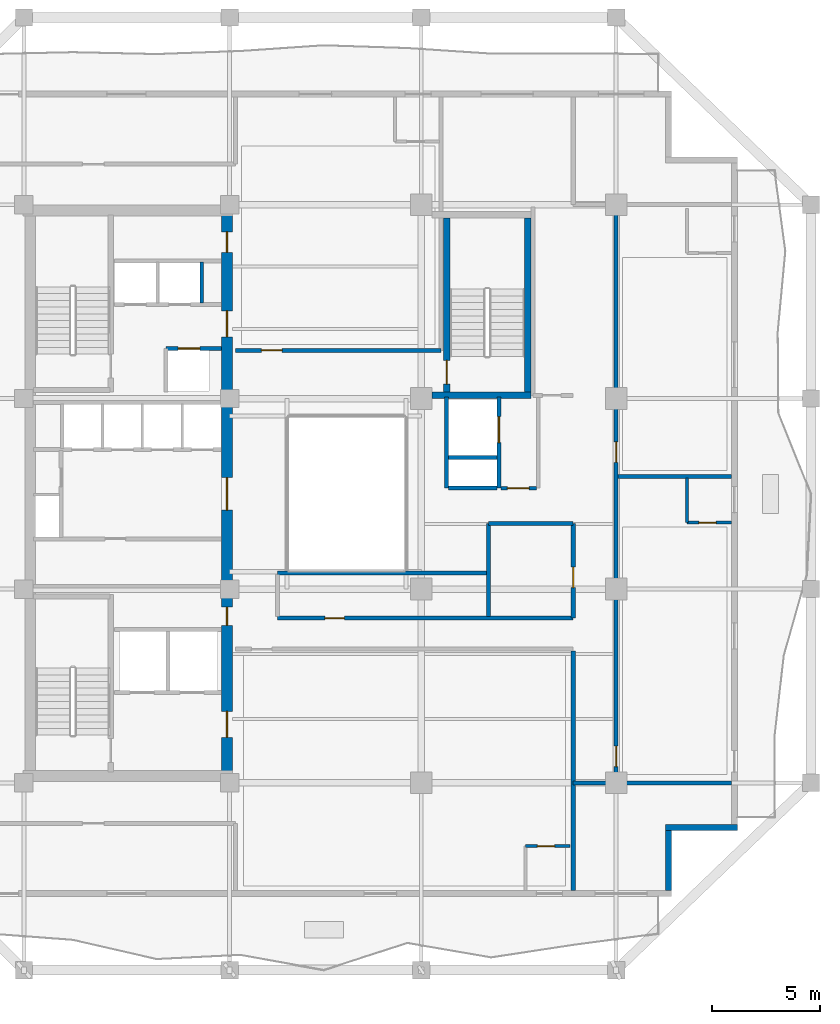
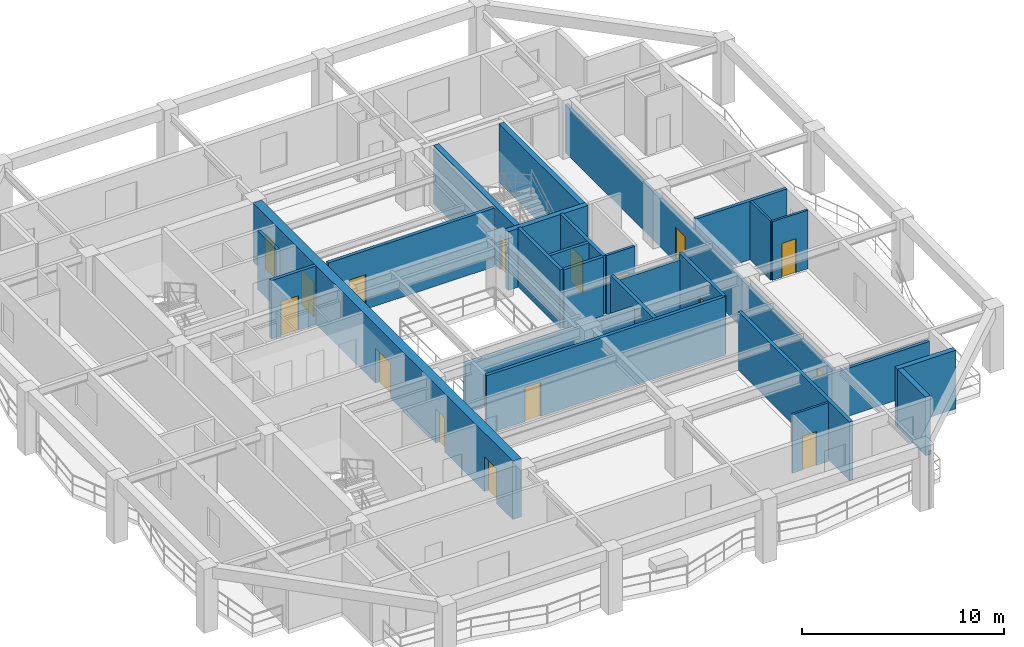
# One storey, part 4 of 10: 26 walls, 16 doors, 16 openings.
"""IFC4 building model written with IfcOpenShell, lengths in metres."""

from ifc_helpers import new_model, si_unit, direction, frame, frame_2d, origin, place, context, subcontext, project, spatial, rectangle, extrude, material, layer, layer_set, type_object, element, fill, save


model = new_model("IFC4")

# Units and contexts
model_context = context("Model", 3, precision=1e-05, world=origin(), true_north=direction((0.0, 1.0)))
body_context = subcontext(model_context, "Body", "Model", "MODEL_VIEW")
ifc_project = project(units=[si_unit("LENGTHUNIT", "METRE"), si_unit("AREAUNIT", "SQUARE_METRE"), si_unit("VOLUMEUNIT", "CUBIC_METRE"), si_unit("PLANEANGLEUNIT", "RADIAN"), si_unit("MASSUNIT", "GRAM", prefix="KILO")], contexts=[model_context])

# Site, building, storey
site_placement = place(None, origin())
site = spatial("IfcSite", under=ifc_project, at=site_placement, CompositionType="ELEMENT")
building_placement = place(site_placement, origin())
building = spatial("IfcBuilding", under=site, at=building_placement, Name="Kundavana Baori Tower", CompositionType="ELEMENT")
storey_placement = place(building_placement, frame((0.0, 0.0, 150.199951171875)))
storey = spatial("IfcBuildingStorey", under=building, at=storey_placement, Name="L36", CompositionType="ELEMENT", Elevation=150.199951171875)

# Wall, openings, doors
ifc_material_1 = material(Name="Concrete C50/60", Category="concrete")
ifc_layer_1 = layer(ifc_material_1, 0.5, Name="WL-CORE-500")
ifc_layer_set_1 = layer_set([ifc_layer_1], Name="Concrete C50/60")
wall_type_1 = type_object("IfcWallType", Name="WL-CORE-500", PredefinedType="SHEAR", material=ifc_layer_set_1)
wall_1_placement = place(storey_placement, frame((24.830078125, 15.739990234375, 0.0), z_axis=(0.0, 0.0, 1.0), x_axis=(0.0, 1.0, 0.0)))
wall_1 = element("IfcWall", 1, at=wall_1_placement, inside=storey, type_object=wall_type_1, Name="L36 Offset Core East Shear Wall", PredefinedType="SHEAR", context=body_context, shape_type="SweptSolid", body=[
    extrude(rectangle(XDim=25.760009765625, YDim=0.5, at=frame_2d((12.8798828125, 0.0))), origin(), (0.0, 0.0, 1.0), 3.550048828125),
])
opening_1_placement = place(wall_1_placement, frame((1.610107421875, 0.0, 0.0)))
opening_1 = element("IfcOpeningElement", 2, at=opening_1_placement, cuts=wall_1, Name="Opening FD-120", PredefinedType="OPENING", context=body_context, shape_type="SweptSolid", body=[
    extrude(rectangle(XDim=1.199951171875, YDim=2.10009765625, at=frame_2d((0.60009765625, 1.050048828125))), frame((0.0, 0.260009765625, 0.0), z_axis=(0.0, -1.0, 0.0), x_axis=(1.0, 0.0, 0.0)), (0.0, 0.0, 1.0), 0.52001953125),
])
opening_2_placement = place(wall_1_placement, frame((6.780029296875, 0.0, 0.0)))
opening_2 = element("IfcOpeningElement", 3, at=opening_2_placement, cuts=wall_1, Name="Opening FD-085", PredefinedType="OPENING", context=body_context, shape_type="SweptSolid", body=[
    extrude(rectangle(XDim=0.85009765625, YDim=2.06005859375, at=frame_2d((0.425048828125, 1.030029296875))), frame((0.0, 0.260009765625, 0.0), z_axis=(0.0, -1.0, 0.0), x_axis=(1.0, 0.0, 0.0)), (0.0, 0.0, 1.0), 0.52001953125),
])
opening_3_placement = place(wall_1_placement, frame((12.110107421875, 0.0, 0.0)))
opening_3 = element("IfcOpeningElement", 4, at=opening_3_placement, cuts=wall_1, Name="Opening FD-150", PredefinedType="OPENING", context=body_context, shape_type="SweptSolid", body=[
    extrude(rectangle(XDim=1.5, YDim=2.1201171875, at=frame_2d((0.75, 1.06005859375))), frame((0.0, 0.260009765625, 0.0), z_axis=(0.0, -1.0, 0.0), x_axis=(1.0, 0.0, 0.0)), (0.0, 0.0, 1.0), 0.52001953125),
])
opening_4_placement = place(wall_1_placement, frame((20.110107421875, 0.0, 0.0)))
opening_4 = element("IfcOpeningElement", 5, at=opening_4_placement, cuts=wall_1, Name="Opening FD-122", PredefinedType="OPENING", context=body_context, shape_type="SweptSolid", body=[
    extrude(rectangle(XDim=1.199951171875, YDim=2.1201171875, at=frame_2d((0.60009765625, 1.06005859375))), frame((0.0, 0.260009765625, 0.0), z_axis=(0.0, -1.0, 0.0), x_axis=(1.0, 0.0, 0.0)), (0.0, 0.0, 1.0), 0.52001953125),
])
opening_5_placement = place(wall_1_placement, frame((24.010009765625, 0.0, 0.0)))
opening_5 = element("IfcOpeningElement", 6, at=opening_5_placement, cuts=wall_1, Name="Opening FD-095", PredefinedType="OPENING", context=body_context, shape_type="SweptSolid", body=[
    extrude(rectangle(XDim=0.949951171875, YDim=2.10009765625, at=frame_2d((0.47509765625, 1.050048828125))), frame((0.0, 0.260009765625, 0.0), z_axis=(0.0, -1.0, 0.0), x_axis=(1.0, 0.0, 0.0)), (0.0, 0.0, 1.0), 0.52001953125),
])
ifc_material_2 = material(Name="Galvanised Steel Fire-Rated Door Leaf", Category="steel")
door_type_1 = type_object("IfcDoorType", Name="DR-FD120-1200", OperationType="NOTDEFINED", PredefinedType="DOOR", material=ifc_material_2)
door_1_placement = place(opening_1_placement, frame((1.199951171875, 0.0, 0.0), z_axis=(0.0, 0.0, 1.0), x_axis=(-1.0, 0.0, 0.0)))
door_1 = element("IfcDoor", 7, at=door_1_placement, inside=storey, type_object=door_type_1, Name="DR-L36-FFLOB-E", OperationType="SINGLE_SWING_RIGHT", OverallHeight=2.10009765625, OverallWidth=1.199951171875, PredefinedType="DOOR", context=body_context, shape_type="SweptSolid", body=[
    extrude(rectangle(XDim=1.199951171875, YDim=2.10009765625, at=frame_2d((0.60009765625, 1.050048828125))), frame((0.0, 0.02490234375, 0.0), z_axis=(0.0, -1.0, 0.0), x_axis=(1.0, 0.0, 0.0)), (0.0, 0.0, 1.0), 0.050048828125),
])
fill(opening_1, door_1)
ifc_material_3 = material(Name="Galvanised Steel Fire-Rated Door Leaf", Category="steel")
door_type_2 = type_object("IfcDoorType", Name="DR-FD60-1200", OperationType="NOTDEFINED", PredefinedType="DOOR", material=ifc_material_3)
door_2_placement = place(opening_4_placement, frame((1.199951171875, 0.0, 0.0), z_axis=(0.0, 0.0, 1.0), x_axis=(-1.0, 0.0, 0.0)))
door_2 = element("IfcDoor", 8, at=door_2_placement, inside=storey, type_object=door_type_2, Name="DR-L36-HRLOB-E", OperationType="SINGLE_SWING_RIGHT", OverallHeight=2.1201171875, OverallWidth=1.199951171875, PredefinedType="DOOR", context=body_context, shape_type="SweptSolid", body=[
    extrude(rectangle(XDim=1.199951171875, YDim=2.1201171875, at=frame_2d((0.60009765625, 1.06005859375))), frame((0.0, 0.02490234375, 0.0), z_axis=(0.0, -1.0, 0.0), x_axis=(1.0, 0.0, 0.0)), (0.0, 0.0, 1.0), 0.050048828125),
])
fill(opening_4, door_2)
ifc_material_4 = material(Name="Galvanised Steel Fire-Rated Door Leaf", Category="steel")
door_type_3 = type_object("IfcDoorType", Name="DR-FD60-1500", OperationType="NOTDEFINED", PredefinedType="DOOR", material=ifc_material_4)
door_3_placement = place(opening_3_placement, frame((1.5, 0.0, 0.0), z_axis=(0.0, 0.0, 1.0), x_axis=(-1.0, 0.0, 0.0)))
door_3 = element("IfcDoor", 9, at=door_3_placement, inside=storey, type_object=door_type_3, Name="DR-L36-LIFTHALL-E", OperationType="SINGLE_SWING_LEFT", OverallHeight=2.1201171875, OverallWidth=1.5, PredefinedType="DOOR", context=body_context, shape_type="SweptSolid", body=[
    extrude(rectangle(XDim=1.5, YDim=2.1201171875, at=frame_2d((0.75, 1.06005859375))), frame((0.0, 0.02490234375, 0.0), z_axis=(0.0, -1.0, 0.0), x_axis=(1.0, 0.0, 0.0)), (0.0, 0.0, 1.0), 0.050048828125),
])
fill(opening_3, door_3)
ifc_material_5 = material(Name="Galvanised Steel Fire-Rated Door Leaf", Category="steel")
door_type_4 = type_object("IfcDoorType", Name="DR-FD60-850", OperationType="NOTDEFINED", PredefinedType="DOOR", material=ifc_material_5)
door_4_placement = place(opening_2_placement, frame((0.85009765625, 0.0, 0.0), z_axis=(0.0, 0.0, 1.0), x_axis=(-1.0, 0.0, 0.0)))
door_4 = element("IfcDoor", 10, at=door_4_placement, inside=storey, type_object=door_type_4, Name="DR-L36-CSMK1", OperationType="SINGLE_SWING_LEFT", OverallHeight=2.06005859375, OverallWidth=0.85009765625, PredefinedType="DOOR", context=body_context, shape_type="SweptSolid", body=[
    extrude(rectangle(XDim=0.85009765625, YDim=2.06005859375, at=frame_2d((0.425048828125, 1.030029296875))), frame((0.0, 0.02490234375, 0.0), z_axis=(0.0, -1.0, 0.0), x_axis=(1.0, 0.0, 0.0)), (0.0, 0.0, 1.0), 0.050048828125),
])
fill(opening_2, door_4)
ifc_material_6 = material(Name="Engineered Teak Fire-Rated Timber Door Leaf", Category="wood")
door_type_5 = type_object("IfcDoorType", Name="DR-FD60-950", OperationType="NOTDEFINED", PredefinedType="DOOR", material=ifc_material_6)
door_5_placement = place(opening_5_placement, frame((0.949951171875, 0.0, 0.0), z_axis=(0.0, 0.0, 1.0), x_axis=(-1.0, 0.0, 0.0)))
door_5 = element("IfcDoor", 11, at=door_5_placement, inside=storey, type_object=door_type_5, Name="DR-L36-CSRV1", OperationType="SINGLE_SWING_LEFT", OverallHeight=2.10009765625, OverallWidth=0.949951171875, PredefinedType="DOOR", context=body_context, shape_type="SweptSolid", body=[
    extrude(rectangle(XDim=0.949951171875, YDim=2.10009765625, at=frame_2d((0.47509765625, 1.050048828125))), frame((0.0, 0.02490234375, 0.0), z_axis=(0.0, -1.0, 0.0), x_axis=(1.0, 0.0, 0.0)), (0.0, 0.0, 1.0), 0.050048828125),
])
fill(opening_5, door_5)

# Walls
ifc_material_7 = material(Name="Red-Buff Dholpur Sandstone Cladding on Concrete C40/50", Category="masonry")
ifc_layer_2 = layer(ifc_material_7, 0.280029296875, Name="WL-EXT-SAND-280")
ifc_layer_set_2 = layer_set([ifc_layer_2], Name="Red-Buff Dholpur Sandstone Cladding on Concrete C40/50")
wall_type_2 = type_object("IfcWallType", Name="WL-EXT-SAND-280", PredefinedType="STANDARD", material=ifc_layer_set_2)
wall_2_placement = place(storey_placement, frame((45.2099609375, 10.280029296875, 0.0), z_axis=(0.0, 0.0, 1.0), x_axis=(0.0, 1.0, 0.0)))
element("IfcWall", 12, at=wall_2_placement, inside=storey, type_object=wall_type_2, Name="L36 Exterior Insulated Facade Wall 02", PredefinedType="STANDARD", context=body_context, shape_type="SweptSolid", body=[
    extrude(rectangle(XDim=2.77001953125, YDim=0.280029296875, at=frame_2d((1.385009765625, 0.0))), origin(), (0.0, 0.0, 1.0), 3.550048828125),
])
wall_3_placement = place(storey_placement, frame((45.070068359375, 13.18994140625, 0.0), z_axis=(0.0, 0.0, 1.0), x_axis=(1.0, 0.0, 0.0)))
element("IfcWall", 13, at=wall_3_placement, inside=storey, type_object=wall_type_2, Name="L36 Exterior Insulated Facade Wall 03", PredefinedType="STANDARD", context=body_context, shape_type="SweptSolid", body=[
    extrude(rectangle(XDim=3.329833984375, YDim=0.280029296875, at=frame_2d((1.6650390625, 0.0))), origin(), (0.0, 0.0, 1.0), 3.550048828125),
])

# Wall, opening, door
ifc_material_8 = material(Name="Fire-Rated Gypsum Drywall on Galvanised Steel Studs", Category="steel")
ifc_layer_3 = layer(ifc_material_8, 0.14990234375, Name="WL-PART-150")
ifc_layer_set_3 = layer_set([ifc_layer_3], Name="Fire-Rated Gypsum Drywall on Galvanised Steel Studs")
wall_type_3 = type_object("IfcWallType", Name="WL-PART-150", PredefinedType="PARTITIONING", material=ifc_layer_set_3)
wall_4_placement = place(storey_placement, frame((37.47998046875, 28.860107421875, 0.0), z_axis=(0.0, 0.0, 1.0), x_axis=(1.0, 0.0, 0.0)))
wall_4 = element("IfcWall", 14, at=wall_4_placement, inside=storey, type_object=wall_type_3, Name="WL-L36-SVLOB-S", PredefinedType="PARTITIONING", context=body_context, shape_type="SweptSolid", body=[
    extrude(rectangle(XDim=1.64013671875, YDim=0.14990234375, at=frame_2d((0.820068359375, 0.0))), origin(), (0.0, 0.0, 1.0), 3.550048828125),
])
opening_6_placement = place(wall_4_placement, frame((0.300048828125, 0.0, 0.0)))
opening_6 = element("IfcOpeningElement", 15, at=opening_6_placement, cuts=wall_4, Name="Opening FD-100", PredefinedType="OPENING", context=body_context, shape_type="SweptSolid", body=[
    extrude(rectangle(XDim=1.0, YDim=2.10009765625, at=frame_2d((0.5, 1.050048828125))), frame((0.0, 0.0849609375, 0.0), z_axis=(0.0, -1.0, 0.0), x_axis=(1.0, 0.0, 0.0)), (0.0, 0.0, 1.0), 0.169921875),
])
ifc_material_9 = material(Name="Engineered Teak Fire-Rated Timber Door Leaf", Category="wood")
door_type_6 = type_object("IfcDoorType", Name="DR-FD60-1000", OperationType="NOTDEFINED", PredefinedType="DOOR", material=ifc_material_9)
door_6_placement = place(opening_6_placement, origin())
door_6 = element("IfcDoor", 16, at=door_6_placement, inside=storey, type_object=door_type_6, Name="DR-L36-SVLOB-OUT", OperationType="SINGLE_SWING_LEFT", OverallHeight=2.10009765625, OverallWidth=1.0, PredefinedType="DOOR", context=body_context, shape_type="SweptSolid", body=[
    extrude(rectangle(XDim=1.0, YDim=2.10009765625, at=frame_2d((0.5, 1.050048828125))), frame((0.0, 0.02490234375, 0.0), z_axis=(0.0, -1.0, 0.0), x_axis=(1.0, 0.0, 0.0)), (0.0, 0.0, 1.0), 0.050048828125),
])
fill(opening_6, door_6)

ifc_material_10 = material(Name="Autoclaved Aerated Concrete Blockwork Masonry", Category="masonry")
ifc_layer_4 = layer(ifc_material_10, 0.18505859375, Name="WL-PART-180")
ifc_layer_set_4 = layer_set([ifc_layer_4], Name="Autoclaved Aerated Concrete Blockwork Masonry")
wall_type_4 = type_object("IfcWallType", Name="WL-PART-180", PredefinedType="SOLIDWALL", material=ifc_layer_set_4)
wall_5_placement = place(storey_placement, frame((27.14990234375, 22.860107421875, 0.0), z_axis=(0.0, 0.0, 1.0), x_axis=(1.0, 0.0, 0.0)))
wall_5 = element("IfcWall", 17, at=wall_5_placement, inside=storey, type_object=wall_type_4, Name="WL-L36-HST", PredefinedType="SOLIDWALL", context=body_context, shape_type="SweptSolid", body=[
    extrude(rectangle(XDim=13.670166015625, YDim=0.18505859375, at=frame_2d((6.8349609375, 0.0))), origin(), (0.0, 0.0, 1.0), 3.550048828125),
])
opening_7_placement = place(wall_5_placement, frame((2.199951171875, 0.0, 0.0)))
opening_7 = element("IfcOpeningElement", 18, at=opening_7_placement, cuts=wall_5, Name="Opening ID-090", PredefinedType="OPENING", context=body_context, shape_type="SweptSolid", body=[
    extrude(rectangle(XDim=0.89990234375, YDim=2.080078125, at=frame_2d((0.449951171875, 1.0400390625))), frame((0.0, 0.1025390625, 0.0), z_axis=(0.0, -1.0, 0.0), x_axis=(1.0, 0.0, 0.0)), (0.0, 0.0, 1.0), 0.205078125),
])
ifc_material_11 = material(Name="Engineered Teak Solid-Core Timber Veneer", Category="wood")
door_type_7 = type_object("IfcDoorType", Name="DR-INT-900", OperationType="NOTDEFINED", PredefinedType="DOOR", material=ifc_material_11)
door_7_placement = place(opening_7_placement, origin())
door_7 = element("IfcDoor", 19, at=door_7_placement, inside=storey, type_object=door_type_7, Name="DR-L36-HPNT", OperationType="SINGLE_SWING_LEFT", OverallHeight=2.080078125, OverallWidth=0.89990234375, PredefinedType="DOOR", context=body_context, shape_type="SweptSolid", body=[
    extrude(rectangle(XDim=0.89990234375, YDim=2.080078125, at=frame_2d((0.449951171875, 1.0400390625))), frame((0.0, 0.02490234375, 0.0), z_axis=(0.0, -1.0, 0.0), x_axis=(1.0, 0.0, 0.0)), (0.0, 0.0, 1.0), 0.050048828125),
])
fill(opening_7, door_7)

wall_6_placement = place(storey_placement, frame((25.219970703125, 35.219970703125, 0.0), z_axis=(0.0, 0.0, 1.0), x_axis=(1.0, 0.0, 0.0)))
wall_6 = element("IfcWall", 20, at=wall_6_placement, inside=storey, type_object=wall_type_4, Name="WL-L36-HN", PredefinedType="SOLIDWALL", context=body_context, shape_type="SweptSolid", body=[
    extrude(rectangle(XDim=9.5, YDim=0.18505859375, at=frame_2d((4.75, 0.0))), origin(), (0.0, 0.0, 1.0), 3.550048828125),
])
opening_8_placement = place(wall_6_placement, frame((1.199951171875, 0.0, 0.0)))
opening_8 = element("IfcOpeningElement", 21, at=opening_8_placement, cuts=wall_6, Name="Opening FD-095", PredefinedType="OPENING", context=body_context, shape_type="SweptSolid", body=[
    extrude(rectangle(XDim=0.949951171875, YDim=2.10009765625, at=frame_2d((0.47509765625, 1.050048828125))), frame((0.0, 0.1025390625, 0.0), z_axis=(0.0, -1.0, 0.0), x_axis=(1.0, 0.0, 0.0)), (0.0, 0.0, 1.0), 0.205078125),
])
door_8_placement = place(opening_8_placement, origin())
door_8 = element("IfcDoor", 22, at=door_8_placement, inside=storey, type_object=door_type_5, Name="DR-L36-HK-N1-ENT", OperationType="SINGLE_SWING_RIGHT", OverallHeight=2.10009765625, OverallWidth=0.949951171875, PredefinedType="DOOR", context=body_context, shape_type="SweptSolid", body=[
    extrude(rectangle(XDim=0.949951171875, YDim=2.10009765625, at=frame_2d((0.47509765625, 1.050048828125))), frame((0.0, 0.02490234375, 0.0), z_axis=(0.0, -1.0, 0.0), x_axis=(1.0, 0.0, 0.0)), (0.0, 0.0, 1.0), 0.050048828125),
])
fill(opening_8, door_8)

# Wall, openings, doors
wall_7_placement = place(storey_placement, frame((42.800048828125, 15.25, 0.0), z_axis=(0.0, 0.0, 1.0), x_axis=(0.0, 1.0, 0.0)))
wall_7 = element("IfcWall", 23, at=wall_7_placement, inside=storey, type_object=wall_type_4, Name="WL-L36-HE", PredefinedType="SOLIDWALL", context=body_context, shape_type="SweptSolid", body=[
    extrude(rectangle(XDim=26.699951171875, YDim=0.18505859375, at=frame_2d((13.35009765625, 0.0))), origin(), (0.0, 0.0, 1.0), 2.900146484375),
])
opening_9_placement = place(wall_7_placement, frame((0.75, 0.0, 0.0)))
opening_9 = element("IfcOpeningElement", 24, at=opening_9_placement, cuts=wall_7, Name="Opening FD-095", PredefinedType="OPENING", context=body_context, shape_type="SweptSolid", body=[
    extrude(rectangle(XDim=0.949951171875, YDim=2.10009765625, at=frame_2d((0.47509765625, 1.050048828125))), frame((0.0, 0.1025390625, 0.0), z_axis=(0.0, -1.0, 0.0), x_axis=(1.0, 0.0, 0.0)), (0.0, 0.0, 1.0), 0.205078125),
])
opening_10_placement = place(wall_7_placement, frame((14.800048828125, 0.0, 0.0)))
opening_10 = element("IfcOpeningElement", 25, at=opening_10_placement, cuts=wall_7, Name="Opening FD-095", PredefinedType="OPENING", context=body_context, shape_type="SweptSolid", body=[
    extrude(rectangle(XDim=0.949951171875, YDim=2.10009765625, at=frame_2d((0.47509765625, 1.050048828125))), frame((0.0, 0.1025390625, 0.0), z_axis=(0.0, -1.0, 0.0), x_axis=(1.0, 0.0, 0.0)), (0.0, 0.0, 1.0), 0.205078125),
])
door_9_placement = place(opening_9_placement, origin())
door_9 = element("IfcDoor", 26, at=door_9_placement, inside=storey, type_object=door_type_5, Name="DR-L36-HK-E1-ENT", OperationType="SINGLE_SWING_LEFT", OverallHeight=2.10009765625, OverallWidth=0.949951171875, PredefinedType="DOOR", context=body_context, shape_type="SweptSolid", body=[
    extrude(rectangle(XDim=0.949951171875, YDim=2.10009765625, at=frame_2d((0.47509765625, 1.050048828125))), frame((0.0, 0.02490234375, 0.0), z_axis=(0.0, -1.0, 0.0), x_axis=(1.0, 0.0, 0.0)), (0.0, 0.0, 1.0), 0.050048828125),
])
fill(opening_9, door_9)
door_10_placement = place(opening_10_placement, origin())
door_10 = element("IfcDoor", 27, at=door_10_placement, inside=storey, type_object=door_type_5, Name="DR-L36-HK-E2-ENT", OperationType="SINGLE_SWING_LEFT", OverallHeight=2.10009765625, OverallWidth=0.949951171875, PredefinedType="DOOR", context=body_context, shape_type="SweptSolid", body=[
    extrude(rectangle(XDim=0.949951171875, YDim=2.10009765625, at=frame_2d((0.47509765625, 1.050048828125))), frame((0.0, 0.02490234375, 0.0), z_axis=(0.0, -1.0, 0.0), x_axis=(1.0, 0.0, 0.0)), (0.0, 0.0, 1.0), 0.050048828125),
])
fill(opening_10, door_10)

# Wall
wall_8_placement = place(storey_placement, frame((40.820068359375, 15.25, 0.0), z_axis=(0.0, 0.0, 1.0), x_axis=(1.0, 0.0, 0.0)))
element("IfcWall", 28, at=wall_8_placement, inside=storey, type_object=wall_type_4, Name="WL-L36-HES", PredefinedType="SOLIDWALL", context=body_context, shape_type="SweptSolid", body=[
    extrude(rectangle(XDim=7.300048828125, YDim=0.18505859375, at=frame_2d((3.64990234375, 0.0))), origin(), (0.0, 0.0, 1.0), 2.900146484375),
])

# Wall, opening, door
wall_9_placement = place(storey_placement, frame((40.820068359375, 22.860107421875, 0.0), z_axis=(0.0, 0.0, 1.0), x_axis=(0.0, 1.0, 0.0)))
wall_9 = element("IfcWall", 29, at=wall_9_placement, inside=storey, type_object=wall_type_4, Name="WL-L36-HEW", PredefinedType="SOLIDWALL", context=body_context, shape_type="SweptSolid", body=[
    extrude(rectangle(XDim=4.35986328125, YDim=0.18505859375, at=frame_2d((2.179931640625, 0.0))), origin(), (0.0, 0.0, 1.0), 3.550048828125),
])
opening_11_placement = place(wall_9_placement, frame((1.39990234375, 0.0, 0.0)))
opening_11 = element("IfcOpeningElement", 30, at=opening_11_placement, cuts=wall_9, Name="Opening FD-095", PredefinedType="OPENING", context=body_context, shape_type="SweptSolid", body=[
    extrude(rectangle(XDim=0.949951171875, YDim=2.10009765625, at=frame_2d((0.47509765625, 1.050048828125))), frame((0.0, 0.1025390625, 0.0), z_axis=(0.0, -1.0, 0.0), x_axis=(1.0, 0.0, 0.0)), (0.0, 0.0, 1.0), 0.205078125),
])
door_11_placement = place(opening_11_placement, frame((0.949951171875, 0.0, 0.0), z_axis=(0.0, 0.0, 1.0), x_axis=(-1.0, 0.0, 0.0)))
door_11 = element("IfcDoor", 31, at=door_11_placement, inside=storey, type_object=door_type_5, Name="DR-L36-HSK", OperationType="SINGLE_SWING_RIGHT", OverallHeight=2.10009765625, OverallWidth=0.949951171875, PredefinedType="DOOR", context=body_context, shape_type="SweptSolid", body=[
    extrude(rectangle(XDim=0.949951171875, YDim=2.10009765625, at=frame_2d((0.47509765625, 1.050048828125))), frame((0.0, 0.02490234375, 0.0), z_axis=(0.0, -1.0, 0.0), x_axis=(1.0, 0.0, 0.0)), (0.0, 0.0, 1.0), 0.050048828125),
])
fill(opening_11, door_11)

# Walls
wall_10_placement = place(storey_placement, frame((36.89990234375, 27.219970703125, 0.0), z_axis=(0.0, 0.0, 1.0), x_axis=(1.0, 0.0, 0.0)))
element("IfcWall", 32, at=wall_10_placement, inside=storey, type_object=wall_type_4, Name="WL-L36-HKN", PredefinedType="SOLIDWALL", context=body_context, shape_type="SweptSolid", body=[
    extrude(rectangle(XDim=3.920166015625, YDim=0.18505859375, at=frame_2d((1.9599609375, 0.0))), origin(), (0.0, 0.0, 1.0), 3.150146484375),
])
wall_11_placement = place(storey_placement, frame((36.89990234375, 22.93994140625, 0.0), z_axis=(0.0, 0.0, 1.0), x_axis=(0.0, 1.0, 0.0)))
element("IfcWall", 33, at=wall_11_placement, inside=storey, type_object=wall_type_4, Name="WL-L36-HKD", PredefinedType="SOLIDWALL", context=body_context, shape_type="SweptSolid", body=[
    extrude(rectangle(XDim=4.280029296875, YDim=0.18505859375, at=frame_2d((2.14013671875, 0.0))), origin(), (0.0, 0.0, 1.0), 3.550048828125),
])
wall_12_placement = place(storey_placement, frame((27.14990234375, 24.949951171875, 0.0), z_axis=(0.0, 0.0, 1.0), x_axis=(1.0, 0.0, 0.0)))
element("IfcWall", 34, at=wall_12_placement, inside=storey, type_object=wall_type_4, Name="WL-L36-HPN1", PredefinedType="SOLIDWALL", context=body_context, shape_type="SweptSolid", body=[
    extrude(rectangle(XDim=9.670166015625, YDim=0.18505859375, at=frame_2d((4.8349609375, 0.0))), origin(), (0.0, 0.0, 1.0), 3.0),
])
wall_13_placement = place(storey_placement, frame((40.820068359375, 10.280029296875, 0.0), z_axis=(0.0, 0.0, 1.0), x_axis=(0.0, 1.0, 0.0)))
element("IfcWall", 35, at=wall_13_placement, inside=storey, type_object=wall_type_4, Name="WL-L36-HSEND", PredefinedType="SOLIDWALL", context=body_context, shape_type="SweptSolid", body=[
    extrude(rectangle(XDim=11.06005859375, YDim=0.18505859375, at=frame_2d((5.530029296875, 0.0))), origin(), (0.0, 0.0, 1.0), 3.550048828125),
])
wall_14_placement = place(storey_placement, frame((42.8798828125, 29.39990234375, 0.0), z_axis=(0.0, 0.0, 1.0), x_axis=(1.0, 0.0, 0.0)))
element("IfcWall", 36, at=wall_14_placement, inside=storey, type_object=wall_type_4, Name="WL-L36-HED1", PredefinedType="SOLIDWALL", context=body_context, shape_type="SweptSolid", body=[
    extrude(rectangle(XDim=5.240234375, YDim=0.18505859375, at=frame_2d((2.6201171875, 0.0))), origin(), (0.0, 0.0, 1.0), 3.550048828125),
])

# Wall, opening, door
ifc_material_12 = material(Name="Autoclaved Aerated Concrete Blockwork Masonry", Category="masonry")
ifc_layer_5 = layer(ifc_material_12, 0.179931640625, Name="WL-SHAFT-180")
ifc_layer_set_5 = layer_set([ifc_layer_5], Name="Autoclaved Aerated Concrete Blockwork Masonry")
wall_type_5 = type_object("IfcWallType", Name="WL-SHAFT-180", PredefinedType="SOLIDWALL", material=ifc_layer_set_5)
wall_15_placement = place(storey_placement, frame((22.02001953125, 35.31005859375, 0.0), z_axis=(0.0, 0.0, 1.0), x_axis=(1.0, 0.0, 0.0)))
wall_15 = element("IfcWall", 37, at=wall_15_placement, inside=storey, type_object=wall_type_5, Name="WL-L36-LP11-N", PredefinedType="SOLIDWALL", context=body_context, shape_type="SweptSolid", body=[
    extrude(rectangle(XDim=2.56005859375, YDim=0.179931640625, at=frame_2d((1.280029296875, 0.0))), origin(), (0.0, 0.0, 1.0), 3.550048828125),
])
opening_12_placement = place(wall_15_placement, frame((0.550048828125, 0.0, 0.0)))
opening_12 = element("IfcOpeningElement", 38, at=opening_12_placement, cuts=wall_15, Name="Opening LD-100", PredefinedType="OPENING", context=body_context, shape_type="SweptSolid", body=[
    extrude(rectangle(XDim=1.0, YDim=2.10009765625, at=frame_2d((0.5, 1.050048828125))), frame((0.0, 0.10009765625, 0.0), z_axis=(0.0, -1.0, 0.0), x_axis=(1.0, 0.0, 0.0)), (0.0, 0.0, 1.0), 0.199951171875),
])
ifc_material_13 = material(Name="Galvanised Steel Fire-Rated Door Leaf", Category="steel")
door_type_8 = type_object("IfcDoorType", Name="DR-SLIDE-LD1000", OperationType="NOTDEFINED", PredefinedType="DOOR", material=ifc_material_13)
door_12_placement = place(opening_12_placement, origin())
door_12 = element("IfcDoor", 39, at=door_12_placement, inside=storey, type_object=door_type_8, Name="DR-L36-LD-LP11", OperationType="DOUBLE_DOOR_SLIDING", OverallHeight=2.10009765625, OverallWidth=1.0, PredefinedType="DOOR", context=body_context, shape_type="SweptSolid", body=[
    extrude(rectangle(XDim=1.0, YDim=2.10009765625, at=frame_2d((0.5, 1.050048828125))), frame((0.0, 0.02490234375, 0.0), z_axis=(0.0, -1.0, 0.0), x_axis=(1.0, 0.0, 0.0)), (0.0, 0.0, 1.0), 0.050048828125),
])
fill(opening_12, door_12)

# Walls
wall_16_placement = place(storey_placement, frame((23.659912109375, 37.39990234375, 0.0), z_axis=(0.0, 0.0, 1.0), x_axis=(0.0, 1.0, 0.0)))
element("IfcWall", 40, at=wall_16_placement, inside=storey, type_object=wall_type_5, Name="WL-L36-HR-DIV2", PredefinedType="SOLIDWALL", context=body_context, shape_type="SweptSolid", body=[
    extrude(rectangle(XDim=1.900146484375, YDim=0.179931640625, at=frame_2d((0.9501953125, 0.0))), origin(), (0.0, 0.0, 1.0), 3.550048828125),
])
wall_17_placement = place(storey_placement, frame((34.9599609375, 28.860107421875, 0.0), z_axis=(0.0, 0.0, 1.0), x_axis=(0.0, 1.0, 0.0)))
element("IfcWall", 41, at=wall_17_placement, inside=storey, type_object=wall_type_5, Name="WL-L36-SVL-W", PredefinedType="SOLIDWALL", context=body_context, shape_type="SweptSolid", body=[
    extrude(rectangle(XDim=4.219970703125, YDim=0.179931640625, at=frame_2d((2.10986328125, 0.0))), origin(), (0.0, 0.0, 1.0), 3.550048828125),
])

# Wall, opening, door
wall_18_placement = place(storey_placement, frame((37.389892578125, 28.860107421875, 0.0), z_axis=(0.0, 0.0, 1.0), x_axis=(0.0, 1.0, 0.0)))
wall_18 = element("IfcWall", 42, at=wall_18_placement, inside=storey, type_object=wall_type_5, Name="WL-L36-SVL-E", PredefinedType="SOLIDWALL", context=body_context, shape_type="SweptSolid", body=[
    extrude(rectangle(XDim=4.219970703125, YDim=0.179931640625, at=frame_2d((2.10986328125, 0.0))), origin(), (0.0, 0.0, 1.0), 3.550048828125),
])
opening_13_placement = place(wall_18_placement, frame((2.10009765625, 0.0, 0.0)))
opening_13 = element("IfcOpeningElement", 43, at=opening_13_placement, cuts=wall_18, Name="Opening LD-120", PredefinedType="OPENING", context=body_context, shape_type="SweptSolid", body=[
    extrude(rectangle(XDim=1.199951171875, YDim=2.1201171875, at=frame_2d((0.60009765625, 1.06005859375))), frame((0.0, 0.10009765625, 0.0), z_axis=(0.0, -1.0, 0.0), x_axis=(1.0, 0.0, 0.0)), (0.0, 0.0, 1.0), 0.199951171875),
])
ifc_material_14 = material(Name="Galvanised Steel Fire-Rated Door Leaf", Category="steel")
door_type_9 = type_object("IfcDoorType", Name="DR-SLIDE-LD1200", OperationType="NOTDEFINED", PredefinedType="DOOR", material=ifc_material_14)
door_13_placement = place(opening_13_placement, frame((1.199951171875, 0.0, 0.0), z_axis=(0.0, 0.0, 1.0), x_axis=(-1.0, 0.0, 0.0)))
door_13 = element("IfcDoor", 44, at=door_13_placement, inside=storey, type_object=door_type_9, Name="DR-L36-LD-SVL1", OperationType="DOUBLE_DOOR_SLIDING", OverallHeight=2.1201171875, OverallWidth=1.199951171875, PredefinedType="DOOR", context=body_context, shape_type="SweptSolid", body=[
    extrude(rectangle(XDim=1.199951171875, YDim=2.1201171875, at=frame_2d((0.60009765625, 1.06005859375))), frame((0.0, 0.02490234375, 0.0), z_axis=(0.0, -1.0, 0.0), x_axis=(1.0, 0.0, 0.0)), (0.0, 0.0, 1.0), 0.050048828125),
])
fill(opening_13, door_13)

# Walls
for number, where, z_axis, x_axis, name in (
    (45, (35.050048828125, 28.860107421875, 0.0), (0.0, 0.0, 1.0), (1.0, 0.0, 0.0), "WL-L36-SVL-S"),
    (46, (35.050048828125, 30.27001953125, 0.0), (0.0, 0.0, 1.0), (1.0, 0.0, 0.0), "WL-L36-SVL-M"),
):
    element("IfcWall", number, at=place(storey_placement, frame(where, z_axis=z_axis, x_axis=x_axis)), inside=storey, type_object=wall_type_5, Name=name, PredefinedType="SOLIDWALL", context=body_context, shape_type="SweptSolid", body=[
        extrude(rectangle(XDim=2.25, YDim=0.179931640625, at=frame_2d((1.125, 0.0))), origin(), (0.0, 0.0, 1.0), 3.550048828125),
    ])
ifc_material_15 = material(Name="Concrete C50/60", Category="concrete")
ifc_layer_6 = layer(ifc_material_15, 0.300048828125, Name="WL-ST3-300")
ifc_layer_set_6 = layer_set([ifc_layer_6], Name="Concrete C50/60")
wall_type_6 = type_object("IfcWallType", Name="WL-ST3-300", PredefinedType="SHEAR", material=ifc_layer_set_6)
wall_19_placement = place(storey_placement, frame((34.300048828125, 33.159912109375, 0.0), z_axis=(0.0, 0.0, 1.0), x_axis=(1.0, 0.0, 0.0)))
element("IfcWall", 47, at=wall_19_placement, inside=storey, type_object=wall_type_6, Name="L36 Stair ST3 South Shear Wall", PredefinedType="SHEAR", context=body_context, shape_type="SweptSolid", body=[
    extrude(rectangle(XDim=4.570068359375, YDim=0.300048828125, at=frame_2d((2.28515625, 0.0))), origin(), (0.0, 0.0, 1.0), 3.550048828125),
])

# Wall, opening, door
wall_20_placement = place(storey_placement, frame((34.97998046875, 33.31005859375, 0.0), z_axis=(0.0, 0.0, 1.0), x_axis=(0.0, 1.0, 0.0)))
wall_20 = element("IfcWall", 48, at=wall_20_placement, inside=storey, type_object=wall_type_6, Name="L36 Stair ST3 West Shear Wall", PredefinedType="SHEAR", context=body_context, shape_type="SweptSolid", body=[
    extrude(rectangle(XDim=8.030029296875, YDim=0.300048828125, at=frame_2d((4.01513671875, 0.0))), origin(), (0.0, 0.0, 1.0), 3.550048828125),
])
opening_14_placement = place(wall_20_placement, frame((0.35009765625, 0.0, 0.0)))
opening_14 = element("IfcOpeningElement", 49, at=opening_14_placement, cuts=wall_20, Name="Opening FD-110", PredefinedType="OPENING", context=body_context, shape_type="SweptSolid", body=[
    extrude(rectangle(XDim=1.10009765625, YDim=2.10009765625, at=frame_2d((0.550048828125, 1.050048828125))), frame((0.0, 0.16015625, 0.0), z_axis=(0.0, -1.0, 0.0), x_axis=(1.0, 0.0, 0.0)), (0.0, 0.0, 1.0), 0.320068359375),
])
ifc_material_16 = material(Name="Galvanised Steel Fire-Rated Door Leaf", Category="steel")
door_type_10 = type_object("IfcDoorType", Name="DR-FD120-1100", OperationType="NOTDEFINED", PredefinedType="DOOR", material=ifc_material_16)
door_14_placement = place(opening_14_placement, origin())
door_14 = element("IfcDoor", 50, at=door_14_placement, inside=storey, type_object=door_type_10, Name="DR-L36-ST3-W", OperationType="SINGLE_SWING_LEFT", OverallHeight=2.10009765625, OverallWidth=1.10009765625, PredefinedType="DOOR", context=body_context, shape_type="SweptSolid", body=[
    extrude(rectangle(XDim=1.10009765625, YDim=2.10009765625, at=frame_2d((0.550048828125, 1.050048828125))), frame((0.0, 0.02490234375, 0.0), z_axis=(0.0, -1.0, 0.0), x_axis=(1.0, 0.0, 0.0)), (0.0, 0.0, 1.0), 0.050048828125),
])
fill(opening_14, door_14)

# Wall
wall_21_placement = place(storey_placement, frame((38.719970703125, 33.31005859375, 0.0), z_axis=(0.0, 0.0, 1.0), x_axis=(0.0, 1.0, 0.0)))
element("IfcWall", 51, at=wall_21_placement, inside=storey, type_object=wall_type_6, Name="L36 Stair ST3 East Shear Wall", PredefinedType="SHEAR", context=body_context, shape_type="SweptSolid", body=[
    extrude(rectangle(XDim=8.030029296875, YDim=0.300048828125, at=frame_2d((4.01513671875, 0.0))), origin(), (0.0, 0.0, 1.0), 3.550048828125),
])

# Wall, opening, door
ifc_material_17 = material(Name="Autoclaved Aerated Concrete Blockwork Masonry", Category="masonry")
ifc_layer_7 = layer(ifc_material_17, 0.125, Name="WL-WET-120")
ifc_layer_set_7 = layer_set([ifc_layer_7], Name="Autoclaved Aerated Concrete Blockwork Masonry")
wall_type_7 = type_object("IfcWallType", Name="WL-WET-120", PredefinedType="PLUMBINGWALL", material=ifc_layer_set_7)
wall_22_placement = place(storey_placement, frame((38.610107421875, 12.330078125, 0.0), z_axis=(0.0, 0.0, 1.0), x_axis=(1.0, 0.0, 0.0)))
wall_22 = element("IfcWall", 52, at=wall_22_placement, inside=storey, type_object=wall_type_7, Name="WL-L36-HK-S1-BN", PredefinedType="PLUMBINGWALL", context=body_context, shape_type="SweptSolid", body=[
    extrude(rectangle(XDim=2.0498046875, YDim=0.125, at=frame_2d((1.02490234375, 0.0))), origin(), (0.0, 0.0, 1.0), 3.550048828125),
])
opening_15_placement = place(wall_22_placement, frame((0.550048828125, 0.0, 0.0)))
opening_15 = element("IfcOpeningElement", 53, at=opening_15_placement, cuts=wall_22, Name="Opening WD-080", PredefinedType="OPENING", context=body_context, shape_type="SweptSolid", body=[
    extrude(rectangle(XDim=0.800048828125, YDim=2.050048828125, at=frame_2d((0.39990234375, 1.02490234375))), frame((0.0, 0.072509765625, 0.0), z_axis=(0.0, -1.0, 0.0), x_axis=(1.0, 0.0, 0.0)), (0.0, 0.0, 1.0), 0.14501953125),
])
ifc_material_18 = material(Name="Engineered Teak Solid-Core Timber Veneer", Category="wood")
door_type_11 = type_object("IfcDoorType", Name="DR-WET-800", OperationType="NOTDEFINED", PredefinedType="DOOR", material=ifc_material_18)
door_15_placement = place(opening_15_placement, origin())
door_15 = element("IfcDoor", 54, at=door_15_placement, inside=storey, type_object=door_type_11, Name="DR-L36-HK-S1-ENS", OperationType="SINGLE_SWING_LEFT", OverallHeight=2.050048828125, OverallWidth=0.800048828125, PredefinedType="DOOR", context=body_context, shape_type="SweptSolid", body=[
    extrude(rectangle(XDim=0.800048828125, YDim=2.050048828125, at=frame_2d((0.39990234375, 1.02490234375))), frame((0.0, 0.02490234375, 0.0), z_axis=(0.0, -1.0, 0.0), x_axis=(1.0, 0.0, 0.0)), (0.0, 0.0, 1.0), 0.050048828125),
])
fill(opening_15, door_15)

# Wall
wall_23_placement = place(storey_placement, frame((46.070068359375, 27.27001953125, 0.0), z_axis=(0.0, 0.0, 1.0), x_axis=(0.0, 1.0, 0.0)))
element("IfcWall", 55, at=wall_23_placement, inside=storey, type_object=wall_type_7, Name="WL-L36-HK-E1-BW", PredefinedType="PLUMBINGWALL", context=body_context, shape_type="SweptSolid", body=[
    extrude(rectangle(XDim=2.050048828125, YDim=0.125, at=frame_2d((1.02490234375, 0.0))), origin(), (0.0, 0.0, 1.0), 3.550048828125),
])

# Wall, opening, door
wall_24_placement = place(storey_placement, frame((46.070068359375, 27.27001953125, 0.0), z_axis=(0.0, 0.0, 1.0), x_axis=(1.0, 0.0, 0.0)))
wall_24 = element("IfcWall", 56, at=wall_24_placement, inside=storey, type_object=wall_type_7, Name="WL-L36-HK-E1-BS", PredefinedType="PLUMBINGWALL", context=body_context, shape_type="SweptSolid", body=[
    extrude(rectangle(XDim=2.050048828125, YDim=0.125, at=frame_2d((1.02490234375, 0.0))), origin(), (0.0, 0.0, 1.0), 3.550048828125),
])
opening_16_placement = place(wall_24_placement, frame((0.550048828125, 0.0, 0.0)))
opening_16 = element("IfcOpeningElement", 57, at=opening_16_placement, cuts=wall_24, Name="Opening WD-080", PredefinedType="OPENING", context=body_context, shape_type="SweptSolid", body=[
    extrude(rectangle(XDim=0.800048828125, YDim=2.050048828125, at=frame_2d((0.39990234375, 1.02490234375))), frame((0.0, 0.072509765625, 0.0), z_axis=(0.0, -1.0, 0.0), x_axis=(1.0, 0.0, 0.0)), (0.0, 0.0, 1.0), 0.14501953125),
])
door_16_placement = place(opening_16_placement, frame((0.800048828125, 0.0, 0.0), z_axis=(0.0, 0.0, 1.0), x_axis=(-1.0, 0.0, 0.0)))
door_16 = element("IfcDoor", 58, at=door_16_placement, inside=storey, type_object=door_type_11, Name="DR-L36-HK-E1-ENS", OperationType="SINGLE_SWING_LEFT", OverallHeight=2.050048828125, OverallWidth=0.800048828125, PredefinedType="DOOR", context=body_context, shape_type="SweptSolid", body=[
    extrude(rectangle(XDim=0.800048828125, YDim=2.050048828125, at=frame_2d((0.39990234375, 1.02490234375))), frame((0.0, 0.02490234375, 0.0), z_axis=(0.0, -1.0, 0.0), x_axis=(1.0, 0.0, 0.0)), (0.0, 0.0, 1.0), 0.050048828125),
])
fill(opening_16, door_16)

save(model, "model.ifc")
